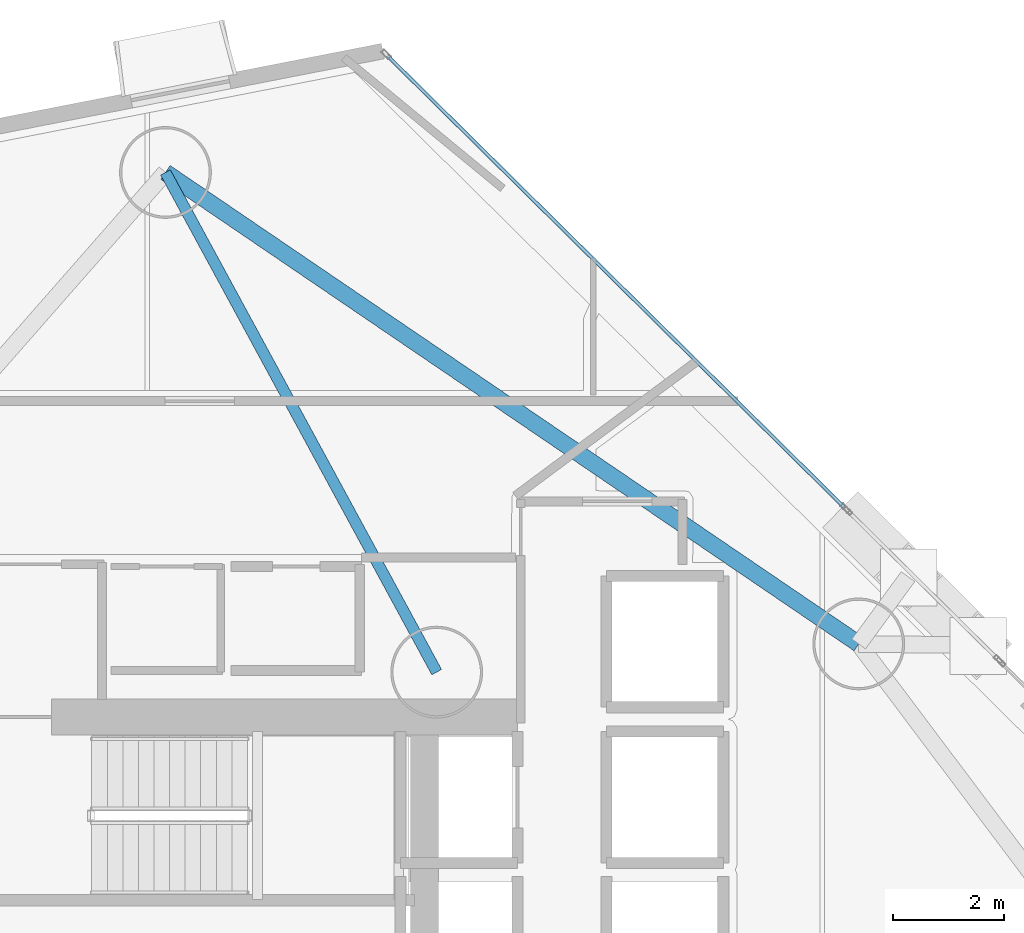
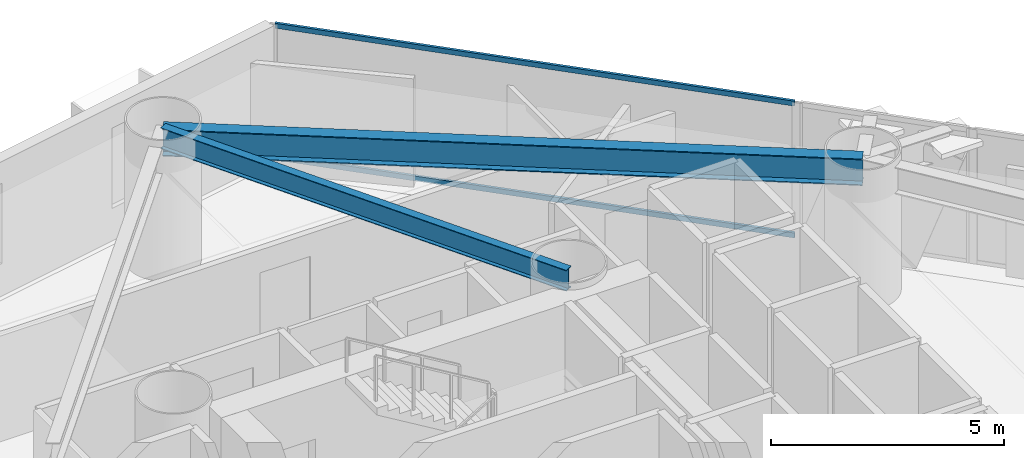
# One storey, part 11 of 24: 2 beams, 2 members, 1 element without a shape of its own.
"""IFC4 building model written with IfcOpenShell, lengths in metres."""

from ifc_helpers import new_model, si_unit, direction, frame, origin, origin_2d, place, context, subcontext, project, spatial, hollow_rectangle, i_section, extrude, material, layer, layer_set, material_profile, profile_set, type_object, element, aggregate, save


model = new_model("IFC4")

# Units and contexts
model_context = context("Model", 3, precision=1e-05, world=origin(), true_north=direction((0.0, 1.0)))
body_context = subcontext(model_context, "Body", "Model", "MODEL_VIEW")
ifc_project = project(units=[si_unit("LENGTHUNIT", "METRE"), si_unit("AREAUNIT", "SQUARE_METRE"), si_unit("VOLUMEUNIT", "CUBIC_METRE"), si_unit("PLANEANGLEUNIT", "RADIAN"), si_unit("MASSUNIT", "GRAM", prefix="KILO")], contexts=[model_context])

# Site, building, storey
site_placement = place(None, origin())
site = spatial("IfcSite", under=ifc_project, at=site_placement, CompositionType="ELEMENT")
building_placement = place(site_placement, origin())
building = spatial("IfcBuilding", under=site, at=building_placement, Name="Qianvela Tower", CompositionType="ELEMENT")
storey_placement = place(building_placement, frame((0.0, 0.0, 59.89990234375)))
storey = spatial("IfcBuildingStorey", under=building, at=storey_placement, Name="L14", CompositionType="ELEMENT", Elevation=59.89990234375)

# Beams
ifc_material_1 = material(Name="Steel Q355B", Category="steel")
ifc_material_profile_1 = material_profile(ifc_material_1, i_section(OverallWidth=0.199951171875, OverallDepth=0.550048828125, WebThickness=0.010009765625, FlangeThickness=0.01611328125, at=origin_2d()), Name="HN550x200x10x16")
ifc_profile_set_1 = profile_set([ifc_material_profile_1], Name="Steel Q355B")
beam_type_1 = type_object("IfcBeamType", Name="BM-HN550-GIRD", PredefinedType="BEAM", material=ifc_profile_set_1)
beam_1_placement = place(storey_placement, frame((38.39990234375, 33.550048828125, 3.2431640625), z_axis=(-0.477069714043, 0.878865454972, 0.0), x_axis=(-0.878865454972, -0.477069714043, 0.0)))
element("IfcBeam", 1, at=beam_1_placement, inside=storey, type_object=beam_type_1, Name="L14 Radial Primary Floor Girder 3", PredefinedType="BEAM", context=body_context, shape_type="SweptSolid", body=[
    extrude(i_section(OverallWidth=0.199951171875, OverallDepth=0.550048828125, WebThickness=0.010009765625, FlangeThickness=0.01611328125, at=origin_2d()), origin(), (0.0, 0.0, 1.0), 10.216552734375),
])
ifc_material_2 = material(Name="Steel Q355B", Category="steel")
ifc_material_profile_2 = material_profile(ifc_material_2, i_section(OverallWidth=0.300048828125, OverallDepth=0.699951171875, WebThickness=0.012939453125, FlangeThickness=0.02392578125, at=origin_2d()), Name="HN700x300x13x24")
ifc_profile_set_2 = profile_set([ifc_material_profile_2], Name="Steel Q355B")
beam_type_2 = type_object("IfcBeamType", Name="BM-HN700-SPAND", PredefinedType="SPANDREL", material=ifc_profile_set_2)
beam_2_placement = place(storey_placement, frame((45.98388671875, 34.056884765625, 3.168212890625), z_axis=(-0.826904197504, 0.562342820839, 0.0), x_axis=(-0.562342820839, -0.826904197504, 0.0)))
element("IfcBeam", 2, at=beam_2_placement, inside=storey, type_object=beam_type_2, Name="L14 Perimeter Ring Spandrel Girder 2", PredefinedType="SPANDREL", context=body_context, shape_type="SweptSolid", body=[
    extrude(i_section(OverallWidth=0.300048828125, OverallDepth=0.699951171875, WebThickness=0.012939453125, FlangeThickness=0.02392578125, at=origin_2d()), origin(), (0.0, 0.0, 1.0), 15.06591796875),
])

# Curtain wall, members
ifc_material_3 = material(Name="Anodised Architectural Aluminium and Low-E Glass", Category="aluminium")
ifc_layer = layer(ifc_material_3, 0.179931640625)
ifc_layer_set = layer_set([ifc_layer], Name="Anodised Architectural Aluminium and Low-E Glass")
curtain_wall_type = type_object("IfcCurtainWallType", Name="CW-COLIV-Z12", PredefinedType="USERDEFINED", material=ifc_layer_set)
curtain_wall_placement = place(storey_placement, origin())
curtain_wall = element("IfcCurtainWall", 3, at=curtain_wall_placement, inside=storey, type_object=curtain_wall_type, Name="L14 CW-COLIV-Z12 Curtain Wall 02C", ObjectType="CURTAIN_WALL_SYSTEM", PredefinedType="USERDEFINED")
ifc_material_4 = material(Name="Anodised Architectural Aluminium 6063-T6", Category="aluminium")
ifc_material_profile_3 = material_profile(ifc_material_4, hollow_rectangle(XDim=0.06494140625, YDim=0.1298828125, WallThickness=0.00439453125, at=origin_2d()), Name="ALU-TRAN-65x130")
ifc_profile_set_3 = profile_set([ifc_material_profile_3], Name="Anodised Architectural Aluminium 6063-T6")
member_type = type_object("IfcMemberType", Name="CW-COLIV-Z12-TRAN", PredefinedType="USERDEFINED", material=ifc_profile_set_3)
member_1_placement = place(storey_placement, frame((45.717041015625, 36.518310546875, 0.03271484375), z_axis=(-0.711139028804, 0.703051407588, 0.0), x_axis=(-0.703051407588, -0.711139028804, 0.0)))
member_1 = element("IfcMember", 4, at=member_1_placement, type_object=member_type, Name="CW-3 transom 1.1", ObjectType="TRANSOM", PredefinedType="USERDEFINED", context=body_context, shape_type="SweptSolid", body=[
    extrude(hollow_rectangle(XDim=0.06494140625, YDim=0.1298828125, WallThickness=0.00439453125, at=origin_2d()), origin(), (0.0, 0.0, 1.0), 11.531494140625),
])
member_2_placement = place(storey_placement, frame((45.717041015625, 36.518310546875, 3.487548828125), z_axis=(-0.711139028804, 0.703051407588, 0.0), x_axis=(-0.703051407588, -0.711139028804, 0.0)))
member_2 = element("IfcMember", 5, at=member_2_placement, type_object=member_type, Name="CW-3 transom 1.2", ObjectType="TRANSOM", PredefinedType="USERDEFINED", context=body_context, shape_type="SweptSolid", body=[
    extrude(hollow_rectangle(XDim=0.06494140625, YDim=0.1298828125, WallThickness=0.00439453125, at=origin_2d()), origin(), (0.0, 0.0, 1.0), 11.531494140625),
])
aggregate(curtain_wall, [member_1, member_2])

save(model, "model.ifc")
